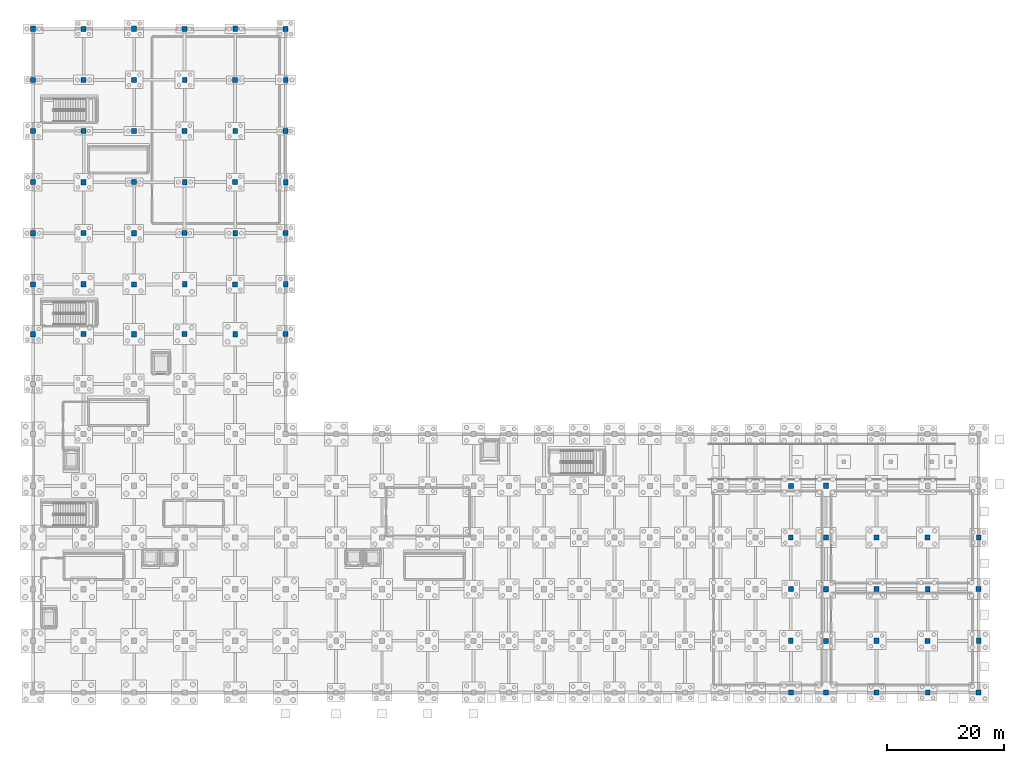
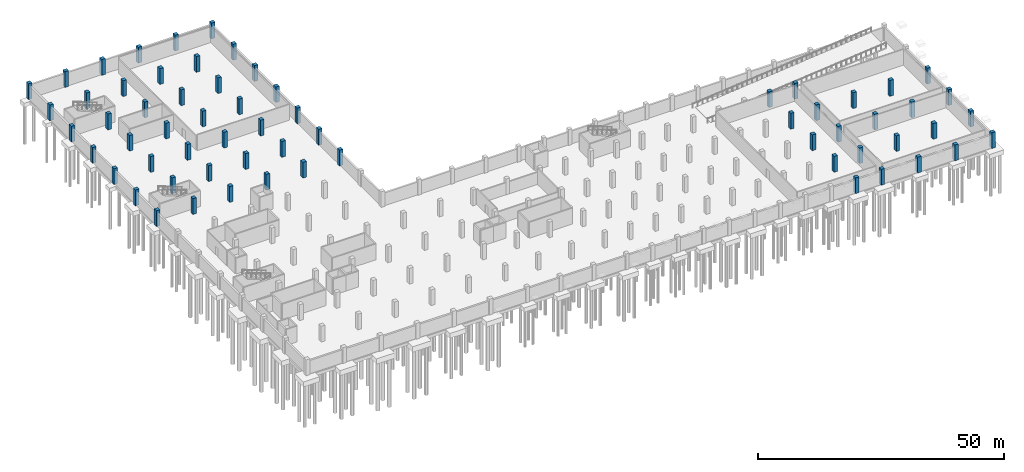
# One storey, part 11 of 28: 64 columns.
"""IFC4 building model written with IfcOpenShell, lengths in metres."""

from ifc_helpers import new_model, si_unit, direction, frame, origin, origin_2d, place, context, subcontext, project, spatial, rectangle, extrude, material, material_profile, profile_set, type_object, element, save


model = new_model("IFC4")

# Units and contexts
model_context = context("Model", 3, precision=1e-05, world=origin(), true_north=direction((0.0, 1.0)))
body_context = subcontext(model_context, "Body", "Model", "MODEL_VIEW")
ifc_project = project(units=[si_unit("LENGTHUNIT", "METRE"), si_unit("AREAUNIT", "SQUARE_METRE"), si_unit("VOLUMEUNIT", "CUBIC_METRE"), si_unit("PLANEANGLEUNIT", "RADIAN"), si_unit("MASSUNIT", "GRAM", prefix="KILO")], contexts=[model_context])

# Site, building, storey
site_placement = place(None, origin())
site = spatial("IfcSite", under=ifc_project, at=site_placement, CompositionType="ELEMENT")
building_placement = place(site_placement, origin())
building = spatial("IfcBuilding", under=site, at=building_placement, Name="Varnakota Cinema and Media Centre", CompositionType="ELEMENT")
storey_placement = place(building_placement, frame((0.0, 0.0, -4.199951171875)))
storey = spatial("IfcBuildingStorey", under=building, at=storey_placement, Name="B1", CompositionType="ELEMENT", Elevation=-4.199951171875)

# Columns
ifc_material_1 = material(Name="Concrete M40", Category="concrete")
ifc_material_profile_1 = material_profile(ifc_material_1, rectangle(XDim=0.800048828125, YDim=0.89990234375, at=origin_2d()), Name="RC 800x900")
ifc_profile_set_1 = profile_set([ifc_material_profile_1], Name="Concrete M40")
column_type_1 = type_object("IfcColumnType", Name="COL-RC-800x900", PredefinedType="COLUMN", material=ifc_profile_set_1)
for number, where, z_axis, x_axis, name in (
    (1, (0.0, 61.0, 0.0), (0.0, 0.0, 1.0), (1.0, 0.0, 0.0), "B1 column A/8"),
    (2, (0.0, 78.199951171875, 0.0), (0.0, 0.0, 1.0), (1.0, 0.0, 0.0), "B1 column A/10"),
    (3, (0.0, 95.60009765625, 0.0), (0.0, 0.0, 1.0), (1.0, 0.0, 0.0), "B1 column A/12"),
    (4, (0.0, 113.0, 0.0), (0.0, 0.0, 1.0), (1.0, 0.0, 0.0), "B1 column A/14"),
    (5, (8.60009765625, 69.5, 0.0), (0.0, 0.0, 1.0), (1.0, 0.0, 0.0), "B1 column B/9"),
    (6, (8.60009765625, 86.89990234375, 0.0), (0.0, 0.0, 1.0), (1.0, 0.0, 0.0), "B1 column B/11"),
    (7, (8.60009765625, 104.300048828125, 0.0), (0.0, 0.0, 1.0), (1.0, 0.0, 0.0), "B1 column B/13"),
    (8, (17.199951171875, 61.0, 0.0), (0.0, 0.0, 1.0), (1.0, 0.0, 0.0), "B1 column C/8"),
    (9, (17.199951171875, 78.199951171875, 0.0), (0.0, 0.0, 1.0), (1.0, 0.0, 0.0), "B1 column C/10"),
    (10, (17.199951171875, 95.60009765625, 0.0), (0.0, 0.0, 1.0), (1.0, 0.0, 0.0), "B1 column C/12"),
    (11, (17.199951171875, 113.0, 0.0), (0.0, 0.0, 1.0), (1.0, 0.0, 0.0), "B1 column C/14"),
    (12, (25.800048828125, 69.5, 0.0), (0.0, 0.0, 1.0), (1.0, 0.0, 0.0), "B1 column D/9"),
    (13, (25.800048828125, 86.89990234375, 0.0), (0.0, 0.0, 1.0), (1.0, 0.0, 0.0), "B1 column D/11"),
    (14, (25.800048828125, 104.300048828125, 0.0), (0.0, 0.0, 1.0), (1.0, 0.0, 0.0), "B1 column D/13"),
    (15, (34.39990234375, 61.0, 0.0), (0.0, 0.0, 1.0), (1.0, 0.0, 0.0), "B1 column E/8"),
    (16, (34.39990234375, 78.199951171875, 0.0), (0.0, 0.0, 1.0), (1.0, 0.0, 0.0), "B1 column E/10"),
    (17, (34.39990234375, 95.60009765625, 0.0), (0.0, 0.0, 1.0), (1.0, 0.0, 0.0), "B1 column E/12"),
    (18, (34.39990234375, 113.0, 0.0), (0.0, 0.0, 1.0), (1.0, 0.0, 0.0), "B1 column E/14"),
    (19, (43.0, 69.5, 0.0), (0.0, 0.0, 1.0), (1.0, 0.0, 0.0), "B1 column F/9"),
    (20, (43.0, 86.89990234375, 0.0), (0.0, 0.0, 1.0), (1.0, 0.0, 0.0), "B1 column F/11"),
    (21, (43.0, 104.300048828125, 0.0), (0.0, 0.0, 1.0), (1.0, 0.0, 0.0), "B1 column F/13"),
    (22, (129.0, 8.800048828125, 0.0), (0.0, 0.0, 1.0), (1.0, 0.0, 0.0), "B1 column U/2"),
    (23, (129.0, 26.39990234375, 0.0), (0.0, 0.0, 1.0), (1.0, 0.0, 0.0), "B1 column U/4"),
    (24, (135.0, 0.0, 0.0), (0.0, 0.0, 1.0), (1.0, 0.0, 0.0), "B1 column V/1"),
    (25, (135.0, 17.60009765625, 0.0), (0.0, 0.0, 1.0), (1.0, 0.0, 0.0), "B1 column V/3"),
    (26, (135.0, 35.199951171875, 0.0), (0.0, 0.0, 1.0), (1.0, 0.0, 0.0), "B1 column V/5"),
    (27, (143.60009765625, 8.800048828125, 0.0), (0.0, 0.0, 1.0), (1.0, 0.0, 0.0), "B1 column W/2"),
    (28, (143.60009765625, 26.39990234375, 0.0), (0.0, 0.0, 1.0), (1.0, 0.0, 0.0), "B1 column W/4"),
    (29, (152.300048828125, 0.0, 0.0), (0.0, 0.0, 1.0), (1.0, 0.0, 0.0), "B1 column X/1"),
    (30, (152.300048828125, 17.60009765625, 0.0), (0.0, 0.0, 1.0), (1.0, 0.0, 0.0), "B1 column X/3"),
    (31, (161.0, 8.800048828125, 0.0), (0.0, 0.0, 1.0), (1.0, 0.0, 0.0), "B1 column Y/2"),
    (32, (161.0, 26.39990234375, 0.0), (0.0, 0.0, 1.0), (1.0, 0.0, 0.0), "B1 column Y/4"),
):
    element("IfcColumn", number, at=place(storey_placement, frame(where, z_axis=z_axis, x_axis=x_axis)), inside=storey, type_object=column_type_1, Name=name, PredefinedType="COLUMN", context=body_context, shape_type="SweptSolid", body=[
        extrude(rectangle(XDim=0.800048828125, YDim=0.89990234375, at=origin_2d()), origin(), (0.0, 0.0, 1.0), 3.919921875),
    ])
ifc_material_2 = material(Name="Concrete M50", Category="concrete")
ifc_material_profile_2 = material_profile(ifc_material_2, rectangle(XDim=0.85009765625, YDim=0.85009765625, at=origin_2d()), Name="RC 850x850")
ifc_profile_set_2 = profile_set([ifc_material_profile_2], Name="Concrete M50")
column_type_2 = type_object("IfcColumnType", Name="COL-RC-850x850", PredefinedType="COLUMN", material=ifc_profile_set_2)
for number, where, z_axis, x_axis, name in (
    (33, (0.0, 69.5, 0.0), (0.0, 0.0, 1.0), (1.0, 0.0, 0.0), "B1 column A/9"),
    (34, (0.0, 86.89990234375, 0.0), (0.0, 0.0, 1.0), (1.0, 0.0, 0.0), "B1 column A/11"),
    (35, (0.0, 104.300048828125, 0.0), (0.0, 0.0, 1.0), (1.0, 0.0, 0.0), "B1 column A/13"),
    (36, (8.60009765625, 61.0, 0.0), (0.0, 0.0, 1.0), (1.0, 0.0, 0.0), "B1 column B/8"),
    (37, (8.60009765625, 78.199951171875, 0.0), (0.0, 0.0, 1.0), (1.0, 0.0, 0.0), "B1 column B/10"),
    (38, (8.60009765625, 95.60009765625, 0.0), (0.0, 0.0, 1.0), (1.0, 0.0, 0.0), "B1 column B/12"),
    (39, (8.60009765625, 113.0, 0.0), (0.0, 0.0, 1.0), (1.0, 0.0, 0.0), "B1 column B/14"),
    (40, (17.199951171875, 69.5, 0.0), (0.0, 0.0, 1.0), (1.0, 0.0, 0.0), "B1 column C/9"),
    (41, (17.199951171875, 86.89990234375, 0.0), (0.0, 0.0, 1.0), (1.0, 0.0, 0.0), "B1 column C/11"),
    (42, (17.199951171875, 104.300048828125, 0.0), (0.0, 0.0, 1.0), (1.0, 0.0, 0.0), "B1 column C/13"),
    (43, (25.800048828125, 61.0, 0.0), (0.0, 0.0, 1.0), (1.0, 0.0, 0.0), "B1 column D/8"),
    (44, (25.800048828125, 78.199951171875, 0.0), (0.0, 0.0, 1.0), (1.0, 0.0, 0.0), "B1 column D/10"),
    (45, (25.800048828125, 95.60009765625, 0.0), (0.0, 0.0, 1.0), (1.0, 0.0, 0.0), "B1 column D/12"),
    (46, (25.800048828125, 113.0, 0.0), (0.0, 0.0, 1.0), (1.0, 0.0, 0.0), "B1 column D/14"),
    (47, (34.39990234375, 69.5, 0.0), (0.0, 0.0, 1.0), (1.0, 0.0, 0.0), "B1 column E/9"),
    (48, (34.39990234375, 86.89990234375, 0.0), (0.0, 0.0, 1.0), (1.0, 0.0, 0.0), "B1 column E/11"),
    (49, (34.39990234375, 104.300048828125, 0.0), (0.0, 0.0, 1.0), (1.0, 0.0, 0.0), "B1 column E/13"),
    (50, (43.0, 61.0, 0.0), (0.0, 0.0, 1.0), (1.0, 0.0, 0.0), "B1 column F/8"),
    (51, (43.0, 78.199951171875, 0.0), (0.0, 0.0, 1.0), (1.0, 0.0, 0.0), "B1 column F/10"),
    (52, (43.0, 95.60009765625, 0.0), (0.0, 0.0, 1.0), (1.0, 0.0, 0.0), "B1 column F/12"),
    (53, (43.0, 113.0, 0.0), (0.0, 0.0, 1.0), (1.0, 0.0, 0.0), "B1 column F/14"),
    (54, (129.0, 0.0, 0.0), (0.0, 0.0, 1.0), (1.0, 0.0, 0.0), "B1 column U/1"),
    (55, (129.0, 17.60009765625, 0.0), (0.0, 0.0, 1.0), (1.0, 0.0, 0.0), "B1 column U/3"),
    (56, (129.0, 35.199951171875, 0.0), (0.0, 0.0, 1.0), (1.0, 0.0, 0.0), "B1 column U/5"),
    (57, (135.0, 8.800048828125, 0.0), (0.0, 0.0, 1.0), (1.0, 0.0, 0.0), "B1 column V/2"),
    (58, (135.0, 26.39990234375, 0.0), (0.0, 0.0, 1.0), (1.0, 0.0, 0.0), "B1 column V/4"),
    (59, (143.60009765625, 0.0, 0.0), (0.0, 0.0, 1.0), (1.0, 0.0, 0.0), "B1 column W/1"),
    (60, (143.60009765625, 17.60009765625, 0.0), (0.0, 0.0, 1.0), (1.0, 0.0, 0.0), "B1 column W/3"),
    (61, (152.300048828125, 8.800048828125, 0.0), (0.0, 0.0, 1.0), (1.0, 0.0, 0.0), "B1 column X/2"),
    (62, (152.300048828125, 26.39990234375, 0.0), (0.0, 0.0, 1.0), (1.0, 0.0, 0.0), "B1 column X/4"),
    (63, (161.0, 0.0, 0.0), (0.0, 0.0, 1.0), (1.0, 0.0, 0.0), "B1 column Y/1"),
    (64, (161.0, 17.60009765625, 0.0), (0.0, 0.0, 1.0), (1.0, 0.0, 0.0), "B1 column Y/3"),
):
    element("IfcColumn", number, at=place(storey_placement, frame(where, z_axis=z_axis, x_axis=x_axis)), inside=storey, type_object=column_type_2, Name=name, PredefinedType="COLUMN", context=body_context, shape_type="SweptSolid", body=[
        extrude(rectangle(XDim=0.85009765625, YDim=0.85009765625, at=origin_2d()), origin(), (0.0, 0.0, 1.0), 3.919921875),
    ])

save(model, "model.ifc")
